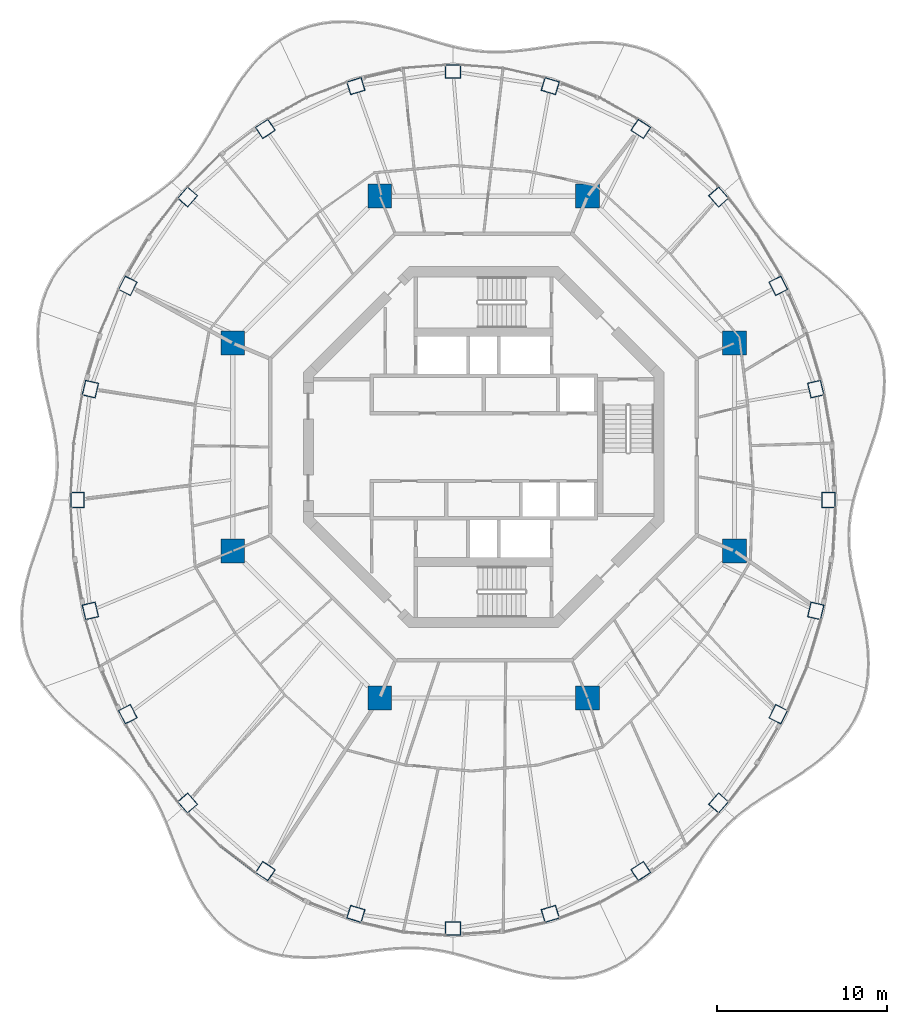
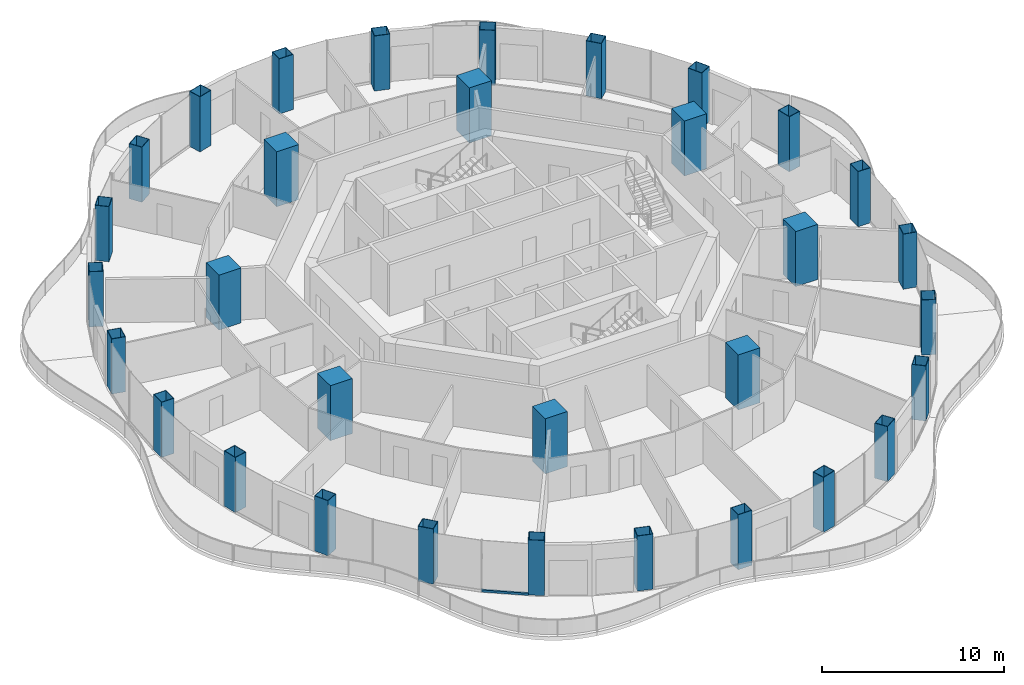
# One storey, part 1 of 17: 32 columns, 1 member, 1 element without a shape of its own.
"""IFC4 building model written with IfcOpenShell, lengths in metres."""

import ifcopenshell
import ifcopenshell.guid

model = None  # the IFC model being written
_history = None  # IfcOwnerHistory: only IFC2X3 demands one
_inside = {}  # id of a spatial element -> (the spatial element, [elements in it])
_under = {}  # id of a project, library or spatial element -> (it, [spatial elements below it])
_declared = {}  # id of a project -> (the project, [libraries it declares])
_typed = {}  # id of a type object -> (the type object, [elements of that type])
_made_of = {}  # id of a material, layer set ... -> (it, [elements and type objects made of it])


def new_model(schema):
    """Start an empty IFC model of exactly this schema.

    Asked for "IFC4X3", IfcOpenShell would pick the latest addendum, in which some entities
    have other attributes; the version numbers below select the first issue.
    IFC2X3 requires an IfcOwnerHistory on every rooted entity: one is made here for all.
    """
    global model, _history
    if schema == "IFC4X3":
        model = ifcopenshell.file(schema_version=(4, 3, 0, 0))
    else:
        model = ifcopenshell.file(schema=schema)
    _inside.clear()
    _under.clear()
    _declared.clear()
    _typed.clear()
    _made_of.clear()
    _history = None
    if model.schema == "IFC2X3":
        org = make("IfcOrganization", Name="unknown")
        user = make(
            "IfcPersonAndOrganization",
            ThePerson=make("IfcPerson", FamilyName="unknown"),
            TheOrganization=org,
        )
        app = make(
            "IfcApplication",
            ApplicationDeveloper=org,
            Version="unknown",
            ApplicationFullName="unknown",
            ApplicationIdentifier="unknown",
        )
        _history = make(
            "IfcOwnerHistory",
            OwningUser=user,
            OwningApplication=app,
            ChangeAction="ADDED",
            CreationDate=0,
        )
    return model


def make(cls, **values):
    """One entity of the class cls with the attributes given. An attribute that is None is left unset."""
    return model.create_entity(
        cls, **{name: value for name, value in values.items() if value is not None}
    )


def rooted(cls, **values):
    """An entity with a GlobalId (a new one), such as an element, a storey or a relation."""
    return make(cls, GlobalId=ifcopenshell.guid.new(), OwnerHistory=_history, **values)


def si_unit(unit_type, name, prefix=None):
    """IfcSIUnit, for example si_unit("LENGTHUNIT", "METRE", prefix="MILLI")."""
    return make("IfcSIUnit", UnitType=unit_type, Prefix=prefix, Name=name)


def assignment(units):
    """IfcUnitAssignment: the units of a project."""
    return None if units is None else make("IfcUnitAssignment", Units=units)


def point(xyz):
    """IfcCartesianPoint."""
    return None if xyz is None else make("IfcCartesianPoint", Coordinates=xyz)


def direction(xyz):
    """IfcDirection."""
    return None if xyz is None else make("IfcDirection", DirectionRatios=xyz)


def frame(location, z_axis=None, x_axis=None):
    """IfcAxis2Placement3D, a coordinate frame: its origin and axes. An axis left out is left unset."""
    return make(
        "IfcAxis2Placement3D",
        Location=point(location),
        Axis=direction(z_axis),
        RefDirection=direction(x_axis),
    )


def frame_2d(location, x_axis=None):
    """IfcAxis2Placement2D, a coordinate frame in the plane: its origin and x axis."""
    return make(
        "IfcAxis2Placement2D", Location=point(location), RefDirection=direction(x_axis)
    )


def origin():
    """The frame at (0, 0, 0) with its axes left unset."""
    return frame((0.0, 0.0, 0.0))


def origin_2d():
    """The frame at (0, 0) in the plane with its x axis left unset."""
    return frame_2d((0.0, 0.0))


def place(relative_to, where):
    """IfcLocalPlacement: puts the frame where relative to a parent placement (None: the world)."""
    return make(
        "IfcLocalPlacement", PlacementRelTo=relative_to, RelativePlacement=where
    )


def context(
    kind, dimensions, precision=None, world=None, true_north=None, identifier=None
):
    """IfcGeometricRepresentationContext, for example the 3D "Model" context."""
    return make(
        "IfcGeometricRepresentationContext",
        ContextIdentifier=identifier,
        ContextType=kind,
        CoordinateSpaceDimension=dimensions,
        Precision=precision,
        WorldCoordinateSystem=world,
        TrueNorth=true_north,
    )


def subcontext(parent, identifier, kind, view, scale=None):
    """IfcGeometricRepresentationSubContext, for example "Body" below "Model"."""
    return make(
        "IfcGeometricRepresentationSubContext",
        ContextIdentifier=identifier,
        ContextType=kind,
        ParentContext=parent,
        TargetScale=scale,
        TargetView=view,
    )


def project(units=None, contexts=None):
    """IfcProject with its units and contexts."""
    return rooted(
        "IfcProject",
        Name="project",
        RepresentationContexts=contexts,
        UnitsInContext=assignment(units),
    )


def spatial(cls, under=None, at=None, **own):
    """A site, building, storey or space (cls), placed at a placement, below another one or the project."""
    s = rooted(cls, ObjectPlacement=at, **own)
    if under is not None:
        _under.setdefault(under.id(), (under, []))[1].append(s)
    return s


def profile(cls, at=None, kind="AREA", **sizes):
    """A parametric profile (cls). Its sizes go by their IFC names, for example OverallWidth=200.0."""
    return make(cls, ProfileType=kind, Position=at, **sizes)


def rectangle(**sizes):
    """IfcRectangleProfileDef."""
    return profile("IfcRectangleProfileDef", **sizes)


def hollow_rectangle(**sizes):
    """IfcRectangleHollowProfileDef."""
    return profile("IfcRectangleHollowProfileDef", **sizes)


def extrude(swept, where, along, depth):
    """IfcExtrudedAreaSolid: the profile swept, set in the frame where, extruded along a direction by depth."""
    return make(
        "IfcExtrudedAreaSolid",
        SweptArea=swept,
        Position=where,
        ExtrudedDirection=direction(along),
        Depth=depth,
    )


def shape(context_of_items, identifier, shape_type, items):
    """IfcShapeRepresentation: the items that make up one representation, for example the "Body"."""
    return make(
        "IfcShapeRepresentation",
        ContextOfItems=context_of_items,
        RepresentationIdentifier=identifier,
        RepresentationType=shape_type,
        Items=items,
    )


def material(Name=None, Category=None):
    """IfcMaterial."""
    return make("IfcMaterial", Name=Name, Category=Category)


def layer(
    of_material, thickness, ventilated=None, Name=None, Category=None, Priority=None
):
    """IfcMaterialLayer: one layer of a wall or slab, of a material (None: an air gap)."""
    return make(
        "IfcMaterialLayer",
        Material=of_material,
        LayerThickness=thickness,
        IsVentilated=ventilated,
        Name=Name,
        Category=Category,
        Priority=Priority,
    )


def layer_set(layers, Name=None):
    """IfcMaterialLayerSet."""
    return make("IfcMaterialLayerSet", MaterialLayers=layers, LayerSetName=Name)


def material_profile(
    of_material, cross_section, Name=None, Category=None, Priority=None
):
    """IfcMaterialProfile: a cross section and its material."""
    return make(
        "IfcMaterialProfile",
        Name=Name,
        Material=of_material,
        Profile=cross_section,
        Priority=Priority,
        Category=Category,
    )


def profile_set(profiles, Name=None, composite=None):
    """IfcMaterialProfileSet."""
    return make(
        "IfcMaterialProfileSet",
        Name=Name,
        MaterialProfiles=profiles,
        CompositeProfile=composite,
    )


def made_of(thing, what):
    """Note that an element or type object is made of a material, layer set ...; save() writes the relation."""
    if what is not None:
        _made_of.setdefault(what.id(), (what, []))[1].append(thing)
    return thing


def type_object(cls, material=None, **own):
    """A type object (cls), such as IfcWallType, which elements share."""
    return made_of(rooted(cls, **own), material)


def element(
    cls,
    number,
    at=None,
    inside=None,
    cuts=None,
    type_object=None,
    material=None,
    context=None,
    identifier="Body",
    shape_type=None,
    held_by="IfcProductDefinitionShape",
    body=None,
    shapes=None,
    **own,
):
    """One element of the class cls, such as IfcWall. Its Tag is "e" and its number.

    at: its placement. inside: the storey or other place that contains it. cuts: it is an
    opening in that element (IfcRelVoidsElement). A single representation is given by context,
    identifier, shape_type and body (its items); several are given by shapes. held_by: the class
    of the entity that holds the representations. save() writes the other relations.
    """
    e = rooted(cls, Tag="e%d" % number, ObjectPlacement=at, **own)
    if body is not None:
        shapes = [shape(context, identifier, shape_type, body)]
    if shapes is not None:
        e.Representation = make(held_by, Representations=shapes)
    if inside is not None:
        _inside.setdefault(inside.id(), (inside, []))[1].append(e)
    if cuts is not None:
        rooted(
            "IfcRelVoidsElement", RelatingBuildingElement=cuts, RelatedOpeningElement=e
        )
    if type_object is not None:
        _typed.setdefault(type_object.id(), (type_object, []))[1].append(e)
    return made_of(e, material)


def aggregate(whole, parts):
    """IfcRelAggregates: a whole, such as a stair, and the parts it consists of."""
    return rooted("IfcRelAggregates", RelatingObject=whole, RelatedObjects=parts)


def save(model, path):
    """Write the relations noted so far, then the file.

    IfcRelAggregates (storeys below a building ...), IfcRelContainedInSpatialStructure (elements
    in a storey), IfcRelDefinesByType, IfcRelAssociatesMaterial and IfcRelDeclares: one each for
    every whole, place, type object, material and project.
    """
    for whole, parts in _under.values():
        aggregate(whole, parts)
    for where, things in _inside.values():
        rooted(
            "IfcRelContainedInSpatialStructure",
            RelatedElements=things,
            RelatingStructure=where,
        )
    for kind, things in _typed.values():
        rooted("IfcRelDefinesByType", RelatedObjects=things, RelatingType=kind)
    for what, things in _made_of.values():
        rooted("IfcRelAssociatesMaterial", RelatedObjects=things, RelatingMaterial=what)
    for by, libraries in _declared.values():
        rooted("IfcRelDeclares", RelatingContext=by, RelatedDefinitions=libraries)
    model.write(path)


model = new_model("IFC4")

# Units and contexts
model_context = context("Model", 3, precision=1e-05, world=origin(), true_north=direction((0.0, 1.0)))
body_context = subcontext(model_context, "Body", "Model", "MODEL_VIEW")
ifc_project = project(units=[si_unit("LENGTHUNIT", "METRE"), si_unit("AREAUNIT", "SQUARE_METRE"), si_unit("VOLUMEUNIT", "CUBIC_METRE"), si_unit("PLANEANGLEUNIT", "RADIAN"), si_unit("MASSUNIT", "GRAM", prefix="KILO")], contexts=[model_context])

# Site, building, storey
site_placement = place(None, origin())
site = spatial("IfcSite", under=ifc_project, at=site_placement, CompositionType="ELEMENT")
building_placement = place(site_placement, origin())
building = spatial("IfcBuilding", under=site, at=building_placement, Name="Nagisa Residences", CompositionType="ELEMENT")
storey_placement = place(building_placement, frame((0.0, 0.0, 262.199951171875)))
storey = spatial("IfcBuildingStorey", under=building, at=storey_placement, Name="L66", CompositionType="ELEMENT", Elevation=262.199951171875)

# Columns
ifc_material_1 = material(Name="Concrete C80", Category="concrete")
ifc_material_profile_1 = material_profile(ifc_material_1, rectangle(XDim=1.39990234375, YDim=1.39990234375, at=origin_2d()), Name="C80 1400x1400")
ifc_profile_set_1 = profile_set([ifc_material_profile_1], Name="Concrete C80")
column_type_1 = type_object("IfcColumnType", Name="Inner megacolumn C80 1400x1400", PredefinedType="COLUMN", material=ifc_profile_set_1)
for number, where, z_axis, x_axis, name in (
    (1, (14.781982421875, 6.123046875, 0.0), (0.0, 0.0, 1.0), (1.0, 0.0, 0.0), "col:L66:i1"),
    (2, (6.123046875, 14.781982421875, 0.0), (0.0, 0.0, 1.0), (1.0, 0.0, 0.0), "col:L66:i2"),
    (3, (-6.123046875, 14.781982421875, 0.0), (0.0, 0.0, 1.0), (1.0, 0.0, 0.0), "col:L66:i3"),
    (4, (-14.781982421875, 6.123046875, 0.0), (0.0, 0.0, 1.0), (1.0, 0.0, 0.0), "col:L66:i4"),
    (5, (-14.781982421875, -6.123046875, 0.0), (0.0, 0.0, 1.0), (1.0, 0.0, 0.0), "col:L66:i5"),
    (6, (-6.123046875, -14.781982421875, 0.0), (0.0, 0.0, 1.0), (1.0, 0.0, 0.0), "col:L66:i6"),
    (7, (6.123046875, -14.781982421875, 0.0), (0.0, 0.0, 1.0), (1.0, 0.0, 0.0), "col:L66:i7"),
    (8, (14.781982421875, -6.123046875, 0.0), (0.0, 0.0, 1.0), (1.0, 0.0, 0.0), "col:L66:i8"),
):
    element("IfcColumn", number, at=place(storey_placement, frame(where, z_axis=z_axis, x_axis=x_axis)), inside=storey, type_object=column_type_1, Name=name, PredefinedType="COLUMN", context=body_context, shape_type="SweptSolid", body=[
        extrude(rectangle(XDim=1.39990234375, YDim=1.39990234375, at=origin_2d()), origin(), (0.0, 0.0, 1.0), 3.699951171875),
    ])
ifc_material_2 = material(Name="Steel ASTM A572 Gr 50", Category="steel")
ifc_material_profile_2 = material_profile(ifc_material_2, hollow_rectangle(XDim=0.89990234375, YDim=0.800048828125, WallThickness=0.028076171875, at=origin_2d()), Name="BX 900x800x28")
ifc_profile_set_2 = profile_set([ifc_material_profile_2], Name="Steel ASTM A572 Gr 50")
column_type_2 = type_object("IfcColumnType", Name="Perimeter column BX 900x800x28", PredefinedType="COLUMN", material=ifc_profile_set_2)
for number, where, z_axis, x_axis, name in (
    (9, (20.320068359375, -3.11767578125, 0.0), (0.0, 0.0, 1.0), (0.0, 1.0, 0.0), "col:L66:p00"),
    (10, (19.566162109375, 3.414794921875, 0.0), (0.0, 0.0, 1.0), (-0.229202013103, 0.973378876486, 0.0), "col:L66:p01"),
    (11, (17.3564453125, 9.502197265625, 0.0), (0.0, 0.0, 1.0), (-0.452462697578, 0.891783329795, 0.0), "col:L66:p02"),
    (12, (13.84130859375, 14.729736328125, 0.0), (0.0, 0.0, 1.0), (-0.660114607735, 0.751164898445, 0.0), "col:L66:p03"),
    (13, (9.260009765625, 18.74072265625, 0.0), (0.0, 0.0, 1.0), (-0.835766105673, 0.54908561865, 0.0), "col:L66:p04"),
    (14, (3.925048828125, 21.26220703125, 0.0), (0.0, 0.0, 1.0), (-0.956524583408, 0.291651712384, 0.0), "col:L66:p05"),
    (15, (-1.800048828125, 22.122314453125, 0.0), (0.0, 0.0, 1.0), (-1.0, 0.0, 0.0), "col:L66:p06"),
    (16, (-7.525146484375, 21.26220703125, 0.0), (0.0, 0.0, 1.0), (-0.956524583408, -0.291651712384, 0.0), "col:L66:p07"),
    (17, (-12.860107421875, 18.74072265625, 0.0), (0.0, 0.0, 1.0), (-0.835766105673, -0.54908561865, 0.0), "col:L66:p08"),
    (18, (-17.441162109375, 14.729736328125, 0.0), (0.0, 0.0, 1.0), (-0.660114607735, -0.751164898445, 0.0), "col:L66:p09"),
    (19, (-20.95654296875, 9.502197265625, 0.0), (0.0, 0.0, 1.0), (-0.452462697578, -0.891783329795, 0.0), "col:L66:p10"),
    (20, (-23.166259765625, 3.414794921875, 0.0), (0.0, 0.0, 1.0), (-0.229202013103, -0.973378876486, 0.0), "col:L66:p11"),
    (21, (-23.919921875, -3.11767578125, 0.0), (0.0, 0.0, 1.0), (0.0, -1.0, 0.0), "col:L66:p12"),
    (22, (-23.166259765625, -9.650390625, 0.0), (0.0, 0.0, 1.0), (0.229202013103, -0.973378876486, 0.0), "col:L66:p13"),
    (23, (-20.95654296875, -15.73779296875, 0.0), (0.0, 0.0, 1.0), (0.452462697578, -0.891783329795, 0.0), "col:L66:p14"),
    (24, (-17.441162109375, -20.965087890625, 0.0), (0.0, 0.0, 1.0), (0.660114607735, -0.751164898445, 0.0), "col:L66:p15"),
    (25, (-12.860107421875, -24.97607421875, 0.0), (0.0, 0.0, 1.0), (0.835766105673, -0.54908561865, 0.0), "col:L66:p16"),
    (26, (-7.525146484375, -27.49755859375, 0.0), (0.0, 0.0, 1.0), (0.956524583408, -0.291651712384, 0.0), "col:L66:p17"),
    (27, (-1.800048828125, -28.357666015625, 0.0), (0.0, 0.0, 1.0), (1.0, 0.0, 0.0), "col:L66:p18"),
    (28, (3.925048828125, -27.49755859375, 0.0), (0.0, 0.0, 1.0), (0.956524583408, 0.291651712384, 0.0), "col:L66:p19"),
    (29, (9.260009765625, -24.97607421875, 0.0), (0.0, 0.0, 1.0), (0.835766105673, 0.54908561865, 0.0), "col:L66:p20"),
    (30, (13.84130859375, -20.965087890625, 0.0), (0.0, 0.0, 1.0), (0.660114607735, 0.751164898445, 0.0), "col:L66:p21"),
    (31, (17.3564453125, -15.73779296875, 0.0), (0.0, 0.0, 1.0), (0.452462697578, 0.891783329795, 0.0), "col:L66:p22"),
    (32, (19.566162109375, -9.650390625, 0.0), (0.0, 0.0, 1.0), (0.229202013103, 0.973378876486, 0.0), "col:L66:p23"),
):
    element("IfcColumn", number, at=place(storey_placement, frame(where, z_axis=z_axis, x_axis=x_axis)), inside=storey, type_object=column_type_2, Name=name, PredefinedType="COLUMN", context=body_context, shape_type="SweptSolid", body=[
        extrude(hollow_rectangle(XDim=0.89990234375, YDim=0.800048828125, WallThickness=0.028076171875, at=origin_2d()), origin(), (0.0, 0.0, 1.0), 3.699951171875),
    ])

# Curtain wall, member
ifc_material_3 = material(Name="Concrete-coloured aluminium curtain wall system", Category="concrete")
ifc_layer = layer(ifc_material_3, 0.159912109375)
ifc_layer_set = layer_set([ifc_layer], Name="CW1 CURTAIN WALL")
curtain_wall_type = type_object("IfcCurtainWallType", Name="CW1 CURTAIN WALL", PredefinedType="NOTDEFINED", material=ifc_layer_set)
curtain_wall_placement = place(storey_placement, origin())
curtain_wall = element("IfcCurtainWall", 33, at=curtain_wall_placement, inside=storey, type_object=curtain_wall_type, Name="cw:CW1:L66:31", PredefinedType="NOTDEFINED")
ifc_material_4 = material(Name="Concrete-coloured aluminium", Category="concrete")
ifc_material_profile_3 = material_profile(ifc_material_4, rectangle(XDim=0.1201171875, YDim=0.14990234375, at=origin_2d()), Name="CW1 TRANSOM 120x150")
ifc_profile_set_3 = profile_set([ifc_material_profile_3], Name="Concrete-coloured aluminium")
member_type = type_object("IfcMemberType", Name="CW1 TRANSOM 120x150", PredefinedType="USERDEFINED", material=ifc_profile_set_3)
member_placement = place(storey_placement, frame((-15.521728515625, -23.474853515625, 0.074951171875), z_axis=(0.796010739377, -0.605282498339, 0.0), x_axis=(0.605282498339, 0.796010739377, 0.0)))
member = element("IfcMember", 34, at=member_placement, type_object=member_type, Name="CW1 transom", ObjectType="TRANSOM", PredefinedType="USERDEFINED", context=body_context, shape_type="SweptSolid", body=[
    extrude(rectangle(XDim=0.1201171875, YDim=0.14990234375, at=origin_2d()), origin(), (0.0, 0.0, 1.0), 2.640625),
])
aggregate(curtain_wall, [member])

save(model, "model.ifc")
